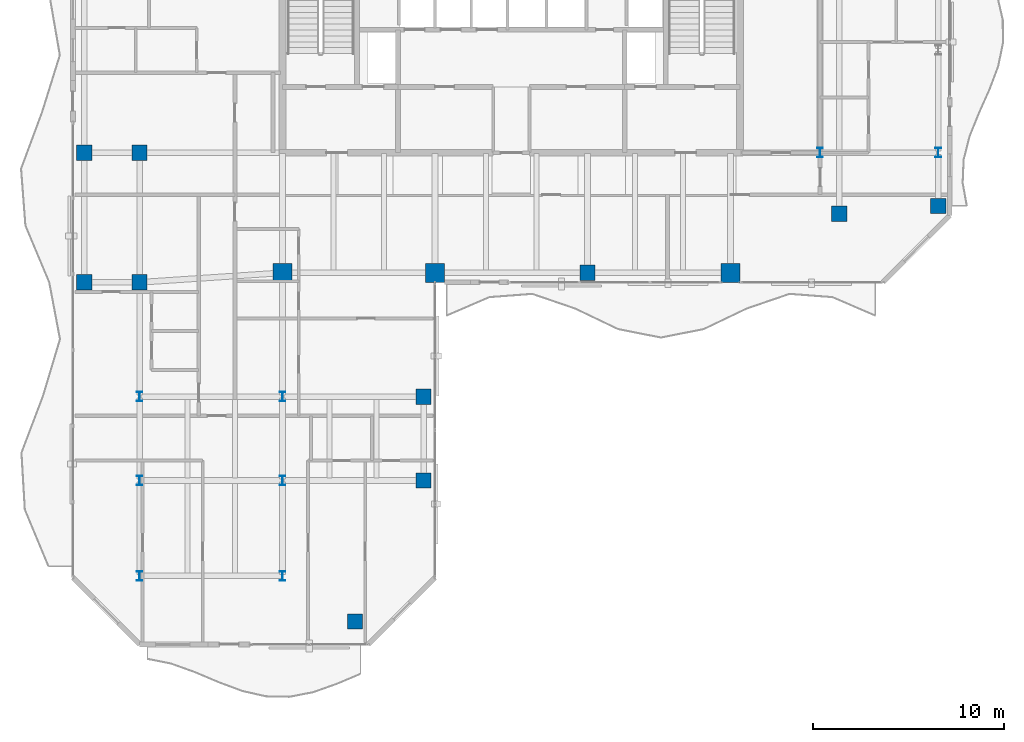
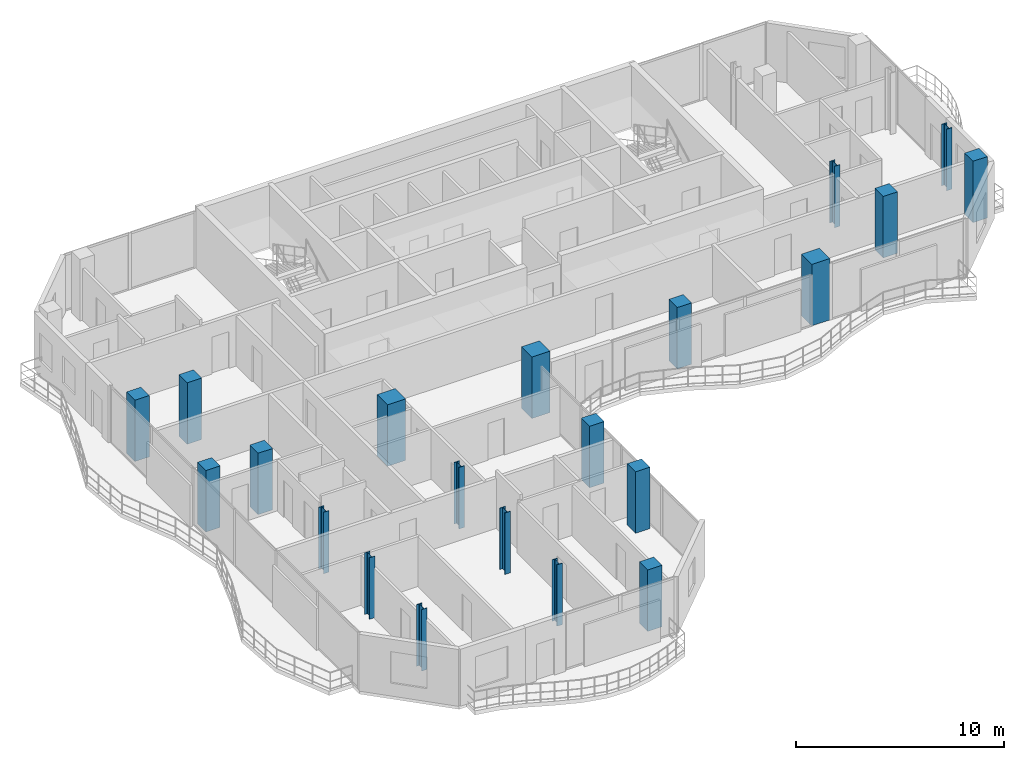
# One storey, part 1 of 23: 21 columns.
"""IFC4 building model written with IfcOpenShell, lengths in metres."""

from ifc_helpers import new_model, si_unit, direction, frame, origin, origin_2d, place, context, subcontext, project, spatial, rectangle, i_section, extrude, material, material_profile, profile_set, type_object, element, save


model = new_model("IFC4")

# Units and contexts
model_context = context("Model", 3, precision=1e-05, world=origin(), true_north=direction((0.0, 1.0)))
body_context = subcontext(model_context, "Body", "Model", "MODEL_VIEW")
ifc_project = project(units=[si_unit("LENGTHUNIT", "METRE"), si_unit("AREAUNIT", "SQUARE_METRE"), si_unit("VOLUMEUNIT", "CUBIC_METRE"), si_unit("PLANEANGLEUNIT", "RADIAN"), si_unit("MASSUNIT", "GRAM", prefix="KILO")], contexts=[model_context])

# Site, building, storey
site_placement = place(None, origin())
site = spatial("IfcSite", under=ifc_project, at=site_placement, CompositionType="ELEMENT")
building_placement = place(site_placement, origin())
building = spatial("IfcBuilding", under=site, at=building_placement, Name="Catumbela Crestline Tower", CompositionType="ELEMENT")
storey_placement = place(building_placement, frame((0.0, 0.0, 172.2)))
storey = spatial("IfcBuildingStorey", under=building, at=storey_placement, Name="L44", CompositionType="ELEMENT", Elevation=172.2)

# Columns
ifc_material_1 = material(Name="Concrete C50/60", Category="concrete")
ifc_material_profile_1 = material_profile(ifc_material_1, rectangle(XDim=1.0, YDim=1.0, at=origin_2d()), Name="RC 1000x1000")
ifc_profile_set_1 = profile_set([ifc_material_profile_1], Name="Concrete C50/60")
column_type_1 = type_object("IfcColumnType", Name="C-RC1000-C50", PredefinedType="COLUMN", material=ifc_profile_set_1)
for number, where, z_axis, x_axis, name in (
    (1, (16.0, 24.5, 0.0), (0.0, 0.0, 1.0), (1.0, 0.0, 0.0), "L44 Column C-16-24 (RC 1000x1000)"),
    (2, (24.0, 24.5, 0.0), (0.0, 0.0, 1.0), (1.0, 0.0, 0.0), "L44 Column C-24-24 (RC 1000x1000)"),
    (3, (39.5, 24.5, 0.0), (0.0, 0.0, 1.0), (1.0, 0.0, 0.0), "L44 Column C-40-24 (RC 1000x1000)"),
):
    element("IfcColumn", number, at=place(storey_placement, frame(where, z_axis=z_axis, x_axis=x_axis)), inside=storey, type_object=column_type_1, Name=name, PredefinedType="COLUMN", context=body_context, shape_type="SweptSolid", body=[
        extrude(rectangle(XDim=1.0, YDim=1.0, at=origin_2d()), origin(), (0.0, 0.0, 1.0), 3.6),
    ])
ifc_material_profile_2 = material_profile(ifc_material_1, rectangle(XDim=0.8, YDim=0.8, at=origin_2d()), Name="RC 800x800")
ifc_profile_set_2 = profile_set([ifc_material_profile_2], Name="Concrete C50/60")
column_type_2 = type_object("IfcColumnType", Name="C-RC800-C50", PredefinedType="COLUMN", material=ifc_profile_set_2)
for number, where, z_axis, x_axis, name in (
    (4, (8.5, 24.0, 0.0), (0.0, 0.0, 1.0), (1.0, 0.0, 0.0), "L44 Column C-08-24 (RC 800x800)"),
    (5, (32.0, 24.5, 0.0), (0.0, 0.0, 1.0), (1.0, 0.0, 0.0), "L44 Column C-32-24 (RC 800x800)"),
    (6, (5.6, 24.0, 0.0), (0.0, 0.0, 1.0), (1.0, 0.0, 0.0), "L44 Column C-05-24 (RC 800x800)"),
    (7, (5.6, 30.8, 0.0), (0.0, 0.0, 1.0), (1.0, 0.0, 0.0), "L44 Column C-05-31 (RC 800x800)"),
    (8, (8.5, 30.8, 0.0), (0.0, 0.0, 1.0), (1.0, 0.0, 0.0), "L44 Column C-08-31 (RC 800x800)"),
    (9, (45.2, 27.6, 0.0), (0.0, 0.0, 1.0), (1.0, 0.0, 0.0), "L44 Column C-46-24 (RC 800x800)"),
    (10, (50.4, 28.0, 0.0), (0.0, 0.0, 1.0), (1.0, 0.0, 0.0), "L44 Column C-51-24 (RC 800x800)"),
    (11, (19.8, 6.2, 0.0), (0.0, 0.0, 1.0), (1.0, 0.0, 0.0), "L44 Column C-24-05 (RC 800x800)"),
    (12, (23.4, 13.6, 0.0), (0.0, 0.0, 1.0), (1.0, 0.0, 0.0), "L44 Column C-24-10 (RC 800x800)"),
    (13, (23.4, 18.0, 0.0), (0.0, 0.0, 1.0), (1.0, 0.0, 0.0), "L44 Column C-24-16 (RC 800x800)"),
):
    element("IfcColumn", number, at=place(storey_placement, frame(where, z_axis=z_axis, x_axis=x_axis)), inside=storey, type_object=column_type_2, Name=name, PredefinedType="COLUMN", context=body_context, shape_type="SweptSolid", body=[
        extrude(rectangle(XDim=0.8, YDim=0.8, at=origin_2d()), origin(), (0.0, 0.0, 1.0), 3.6),
    ])
ifc_material_2 = material(Name="Structural steel S355J2", Category="steel")
ifc_material_profile_3 = material_profile(ifc_material_2, i_section(OverallWidth=0.3, OverallDepth=0.5, WebThickness=0.0145, FlangeThickness=0.028, FilletRadius=0.027, at=origin_2d()), Name="HEB 500")
ifc_profile_set_3 = profile_set([ifc_material_profile_3], Name="Structural steel S355J2")
column_type_3 = type_object("IfcColumnType", Name="C-ST-HEB500", PredefinedType="COLUMN", material=ifc_profile_set_3)
for number, where, z_axis, x_axis, name in (
    (14, (8.5, 8.6, 0.0), (0.0, 0.0, 1.0), (1.0, 0.0, 0.0), "L44 Column CT-05-05 (HEB 500)"),
    (15, (16.0, 8.6, 0.0), (0.0, 0.0, 1.0), (1.0, 0.0, 0.0), "L44 Column CT-14-05 (HEB 500)"),
    (16, (8.5, 13.6, 0.0), (0.0, 0.0, 1.0), (1.0, 0.0, 0.0), "L44 Column CT-05-10 (HEB 500)"),
    (17, (16.0, 13.6, 0.0), (0.0, 0.0, 1.0), (1.0, 0.0, 0.0), "L44 Column CT-14-10 (HEB 500)"),
    (18, (8.5, 18.0, 0.0), (0.0, 0.0, 1.0), (1.0, 0.0, 0.0), "L44 Column CT-05-16 (HEB 500)"),
    (19, (16.0, 18.0, 0.0), (0.0, 0.0, 1.0), (1.0, 0.0, 0.0), "L44 Column CT-14-16 (HEB 500)"),
    (20, (44.2, 30.8, 0.0), (0.0, 0.0, 1.0), (1.0, 0.0, 0.0), "L44 Column CT-46-31 (HEB 500)"),
    (21, (50.4, 30.8, 0.0), (0.0, 0.0, 1.0), (1.0, 0.0, 0.0), "L44 Column CT-51-31 (HEB 500)"),
):
    element("IfcColumn", number, at=place(storey_placement, frame(where, z_axis=z_axis, x_axis=x_axis)), inside=storey, type_object=column_type_3, Name=name, PredefinedType="COLUMN", context=body_context, shape_type="SweptSolid", body=[
        extrude(i_section(OverallWidth=0.3, OverallDepth=0.5, WebThickness=0.0145, FlangeThickness=0.028, FilletRadius=0.027, at=origin_2d()), origin(), (0.0, 0.0, 1.0), 3.6),
    ])

save(model, "model.ifc")
